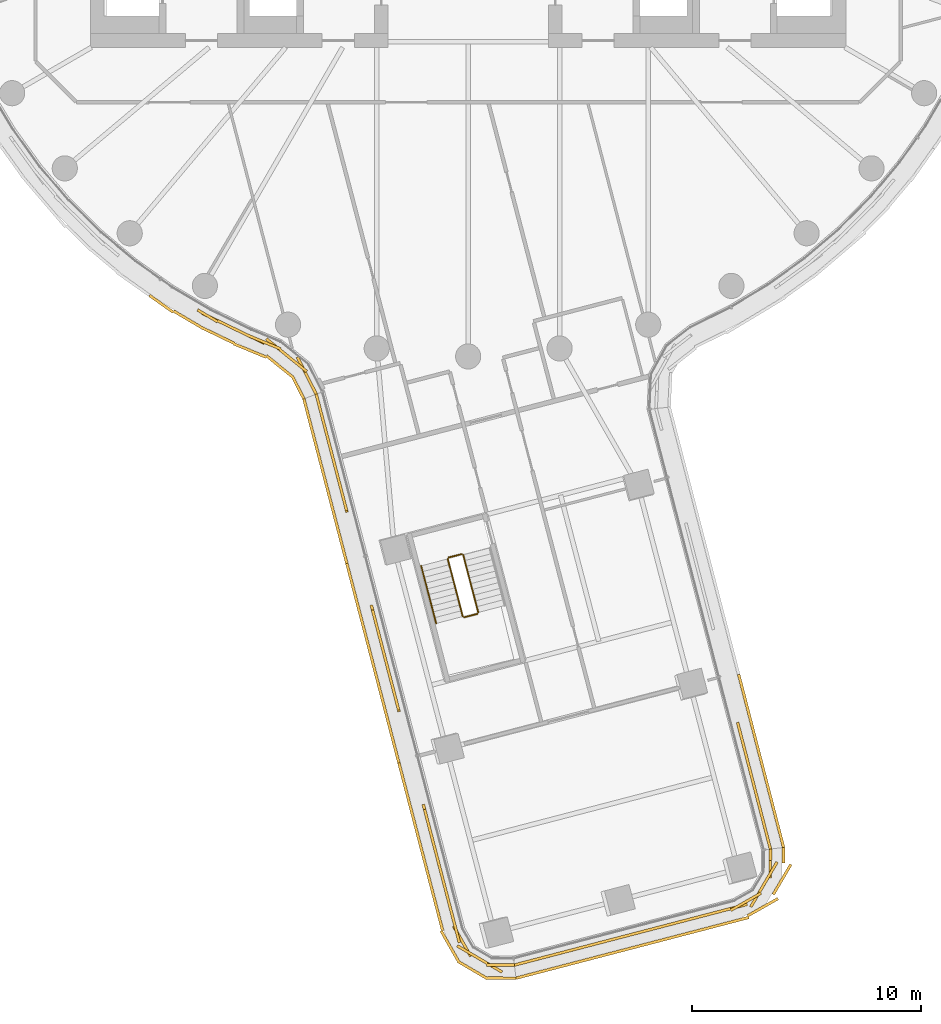
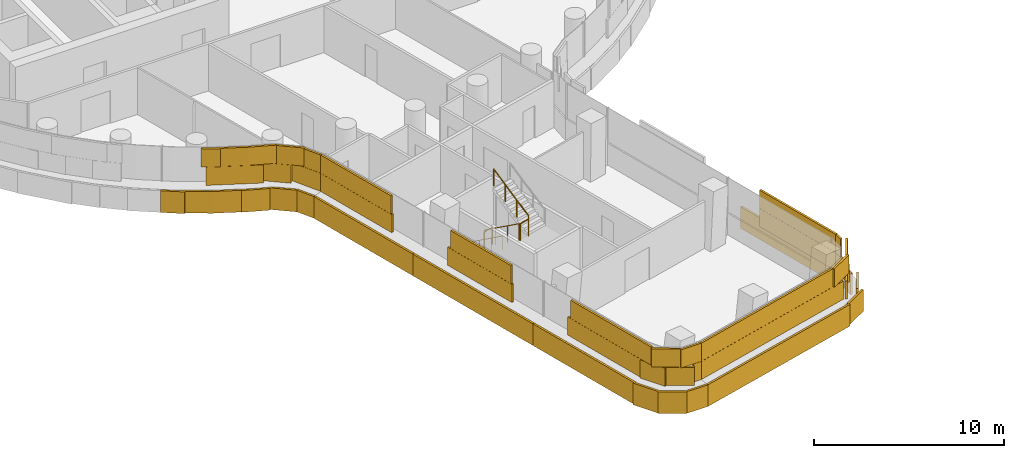
# One storey, part 24 of 30: 6 coverings, 5 railings.
"""IFC4 building model written with IfcOpenShell, lengths in metres."""

from ifc_helpers import new_model, si_unit, direction, frame, origin, origin_2d, place, context, subcontext, project, spatial, rectangle, circle, extrude, material, layer, layer_set, type_object, element, save


model = new_model("IFC4")

# Units and contexts
model_context = context("Model", 3, precision=1e-05, world=origin(), true_north=direction((0.0, 1.0)))
body_context = subcontext(model_context, "Body", "Model", "MODEL_VIEW")
ifc_project = project(units=[si_unit("LENGTHUNIT", "METRE"), si_unit("AREAUNIT", "SQUARE_METRE"), si_unit("VOLUMEUNIT", "CUBIC_METRE"), si_unit("PLANEANGLEUNIT", "RADIAN"), si_unit("MASSUNIT", "GRAM", prefix="KILO")], contexts=[model_context])

# Site, building, storey
site_placement = place(None, origin())
site = spatial("IfcSite", under=ifc_project, at=site_placement, CompositionType="ELEMENT")
building_placement = place(site_placement, origin())
building = spatial("IfcBuilding", under=site, at=building_placement, Name="Tamarind Cross Interchange Tower", CompositionType="ELEMENT")
storey_placement = place(building_placement, frame((0.0, 0.0, 87.25)))
storey = spatial("IfcBuildingStorey", under=building, at=storey_placement, Name="L20", CompositionType="ELEMENT", Elevation=87.25)

# Railings
ifc_material_1 = material(Name="Stair guard")
railing_type_1 = type_object("IfcRailingType", Name="Stair guard", PredefinedType="GUARDRAIL", material=ifc_material_1)
railing_1_placement = place(storey_placement, frame((-0.892822265625, -31.844482421875, 0.17041015625)))
element("IfcRailing", 1, at=railing_1_placement, inside=storey, type_object=railing_type_1, Name="L20 ST6 stair guard 1", PredefinedType="GUARDRAIL", context=body_context, shape_type="SweptSolid", body=[
    extrude(circle(Radius=0.02392578125, at=origin_2d()), frame((0.0, 0.0, 1.076171875), z_axis=(0.211155681885, -0.80920762433, 0.54826663106), x_axis=(0.967600319043, 0.252486876071, 0.0)), (0.0, 0.0, 1.0), 3.109130859375),
    extrude(circle(Radius=0.02099609375, at=origin_2d()), origin(), (0.0, 0.0, 1.0), 1.052001953125),
    extrude(circle(Radius=0.02099609375, at=origin_2d()), frame((0.21875, -0.838623046875, 0.568115234375)), (0.0, 0.0, 1.0), 1.052001953125),
    extrude(circle(Radius=0.02099609375, at=origin_2d()), frame((0.437744140625, -1.67724609375, 1.136474609375)), (0.0, 0.0, 1.0), 1.052001953125),
    extrude(circle(Radius=0.02099609375, at=origin_2d()), frame((0.656494140625, -2.515869140625, 1.70458984375)), (0.0, 0.0, 1.0), 1.052001953125),
])
railing_2_placement = place(storey_placement, frame((-0.17529296875, -34.39599609375, 1.875)))
element("IfcRailing", 2, at=railing_2_placement, inside=storey, type_object=railing_type_1, Name="L20 ST6 stair guard 2", PredefinedType="GUARDRAIL", context=body_context, shape_type="SweptSolid", body=[
    extrude(circle(Radius=0.02392578125, at=origin_2d()), frame((0.0, 0.0, 1.076171875), z_axis=(0.967651833377, 0.252289376238, 0.0), x_axis=(-0.252289376238, 0.967651833377, 0.0)), (0.0, 0.0, 1.0), 0.599853515625),
    extrude(circle(Radius=0.02099609375, at=origin_2d()), origin(), (0.0, 0.0, 1.0), 1.052001953125),
    extrude(circle(Radius=0.02099609375, at=origin_2d()), frame((0.58056640625, 0.1513671875, 0.0)), (0.0, 0.0, 1.0), 1.052001953125),
])
railing_3_placement = place(storey_placement, frame((0.44091796875, -34.18359375, 2.04541015625)))
element("IfcRailing", 3, at=railing_3_placement, inside=storey, type_object=railing_type_1, Name="L20 ST6 stair guard 3", PredefinedType="GUARDRAIL", context=body_context, shape_type="SweptSolid", body=[
    extrude(circle(Radius=0.02392578125, at=origin_2d()), frame((0.0, 0.0, 1.076171875), z_axis=(-0.211155681885, 0.80920762433, 0.54826663106), x_axis=(-0.967600319043, -0.252486876071, 0.0)), (0.0, 0.0, 1.0), 3.109130859375),
    extrude(circle(Radius=0.02099609375, at=origin_2d()), origin(), (0.0, 0.0, 1.0), 1.052001953125),
    extrude(circle(Radius=0.02099609375, at=origin_2d()), frame((-0.21875, 0.838623046875, 0.568115234375)), (0.0, 0.0, 1.0), 1.052001953125),
    extrude(circle(Radius=0.02099609375, at=origin_2d()), frame((-0.437744140625, 1.67724609375, 1.136474609375)), (0.0, 0.0, 1.0), 1.052001953125),
    extrude(circle(Radius=0.02099609375, at=origin_2d()), frame((-0.656494140625, 2.515869140625, 1.70458984375)), (0.0, 0.0, 1.0), 1.052001953125),
])
railing_4_placement = place(storey_placement, frame((-0.857177734375, -31.783447265625, 0.0)))
element("IfcRailing", 4, at=railing_4_placement, inside=storey, type_object=railing_type_1, Name="L20 ST6 stair guard 4", PredefinedType="GUARDRAIL", context=body_context, shape_type="SweptSolid", body=[
    extrude(circle(Radius=0.02392578125, at=origin_2d()), frame((0.0, 0.0, 1.076171875), z_axis=(0.967651833377, 0.252289376238, 0.0), x_axis=(-0.252289376238, 0.967651833377, 0.0)), (0.0, 0.0, 1.0), 0.599853515625),
    extrude(circle(Radius=0.02099609375, at=origin_2d()), origin(), (0.0, 0.0, 1.0), 1.052001953125),
    extrude(circle(Radius=0.02099609375, at=origin_2d()), frame((0.58056640625, 0.1513671875, 0.0)), (0.0, 0.0, 1.0), 1.052001953125),
])
ifc_material_2 = material(Name="Stair handrail")
railing_type_2 = type_object("IfcRailingType", Name="Stair handrail", PredefinedType="HANDRAIL", material=ifc_material_2)
railing_5_placement = place(storey_placement, frame((-2.053955078125, -32.147705078125, 0.17041015625)))
element("IfcRailing", 5, at=railing_5_placement, inside=storey, type_object=railing_type_2, Name="L20 ST6 stair handrail 1", PredefinedType="HANDRAIL", context=body_context, shape_type="SweptSolid", body=[
    extrude(circle(Radius=0.02392578125, at=origin_2d()), frame((0.0, 0.0, 0.8759765625), z_axis=(0.211169100109, -0.809180515998, 0.548301471535), x_axis=(0.96759433238, 0.252509817524, 0.0)), (0.0, 0.0, 1.0), 3.10888671875),
    extrude(circle(Radius=0.02099609375, at=origin_2d()), origin(), (0.0, 0.0, 1.0), 0.851806640625),
    extrude(circle(Radius=0.02099609375, at=origin_2d()), frame((0.21875, -0.838623046875, 0.568115234375)), (0.0, 0.0, 1.0), 0.851806640625),
    extrude(circle(Radius=0.02099609375, at=origin_2d()), frame((0.437744140625, -1.677001953125, 1.136474609375)), (0.0, 0.0, 1.0), 0.851806640625),
    extrude(circle(Radius=0.02099609375, at=origin_2d()), frame((0.656494140625, -2.515625, 1.70458984375)), (0.0, 0.0, 1.0), 0.851806640625),
])

# Coverings
ifc_material_3 = material(Name="Terracotta", Category="masonry")
ifc_layer = layer(ifc_material_3, 0.1201171875)
ifc_layer_set = layer_set([ifc_layer], Name="Terracotta")
covering_type = type_object("IfcCoveringType", Name="Terracotta baguette screen unit", PredefinedType="MOLDING", material=ifc_layer_set)
covering_1_placement = place(storey_placement, origin())
element("IfcCovering", 6, at=covering_1_placement, inside=storey, type_object=covering_type, Name="SCR-L20-06-01", PredefinedType="MOLDING", context=body_context, shape_type="SweptSolid", body=[
    extrude(rectangle(XDim=1.52001953125, YDim=0.1201171875, at=origin_2d()), frame((-10.933349609375, -21.444580078125, 1.404052734375), z_axis=(0.0, 0.0, 1.0), x_axis=(0.900272776334, -0.435326231914, 0.0)), (0.0, 0.0, 1.0), 1.1669921875),
    extrude(rectangle(XDim=1.52001953125, YDim=0.1201171875, at=origin_2d()), frame((-9.5830078125, -22.097412109375, 1.404052734375), z_axis=(0.0, 0.0, 1.0), x_axis=(0.900272776334, -0.435326231914, 0.0)), (0.0, 0.0, 1.0), 1.1669921875),
    extrude(rectangle(XDim=1.52001953125, YDim=0.1201171875, at=origin_2d()), frame((-8.22021484375, -22.710205078125, 1.404052734375), z_axis=(0.0, 0.0, 1.0), x_axis=(0.777699114767, -0.628636689106, 0.0)), (0.0, 0.0, 1.0), 1.1669921875),
    extrude(rectangle(XDim=1.52001953125, YDim=0.1201171875, at=origin_2d()), frame((-7.115966796875, -23.703369140625, 1.404052734375), z_axis=(0.0, 0.0, 1.0), x_axis=(0.45253642049, -0.891745921286, 0.0)), (0.0, 0.0, 1.0), 1.1669921875),
    extrude(rectangle(XDim=0.31982421875, YDim=0.1201171875, at=origin_2d()), frame((-6.706298828125, -24.510498046875, 1.404052734375), z_axis=(0.0, 0.0, 1.0), x_axis=(0.45253642049, -0.891745921286, 0.0)), (0.0, 0.0, 1.0), 1.1669921875),
    extrude(rectangle(XDim=1.0126953125, YDim=0.1201171875, at=origin_2d()), frame((-11.38427734375, -21.225341796875, 2.5791015625), z_axis=(0.0, 0.0, 1.0), x_axis=(0.861248933065, -0.508183308752, 0.0)), (0.0, 0.0, 1.0), 1.1669921875),
    extrude(rectangle(XDim=1.52001953125, YDim=0.1201171875, at=origin_2d()), frame((-10.25830078125, -21.77099609375, 2.5791015625), z_axis=(0.0, 0.0, 1.0), x_axis=(0.900272776334, -0.435326231914, 0.0)), (0.0, 0.0, 1.0), 1.1669921875),
    extrude(rectangle(XDim=1.52001953125, YDim=0.1201171875, at=origin_2d()), frame((-8.89013671875, -22.384521484375, 2.5791015625), z_axis=(0.0, 0.0, 1.0), x_axis=(0.923969072286, -0.382467192657, 0.0)), (0.0, 0.0, 1.0), 1.1669921875),
    extrude(rectangle(XDim=1.52001953125, YDim=0.1201171875, at=origin_2d()), frame((-7.636962890625, -23.181640625, 2.5791015625), z_axis=(0.0, 0.0, 1.0), x_axis=(0.777699114767, -0.628636689106, 0.0)), (0.0, 0.0, 1.0), 1.1669921875),
    extrude(rectangle(XDim=1.06982421875, YDim=0.1201171875, at=origin_2d()), frame((-6.8759765625, -24.176025390625, 2.5791015625), z_axis=(0.0, 0.0, 1.0), x_axis=(0.45253642049, -0.891745921286, 0.0)), (0.0, 0.0, 1.0), 1.1669921875),
    extrude(rectangle(XDim=1.276611328125, YDim=0.1201171875, at=origin_2d()), frame((-13.399658203125, -20.702392578125, 0.00390625), z_axis=(0.0, 0.0, 1.0), x_axis=(0.816341886298, -0.577568978284, 0.0)), (0.0, 0.0, 1.0), 1.39208984375),
    extrude(rectangle(XDim=1.52001953125, YDim=0.1201171875, at=origin_2d()), frame((-12.212646484375, -21.40283203125, 0.00390625), z_axis=(0.0, 0.0, 1.0), x_axis=(0.861248933065, -0.508183308752, 0.0)), (0.0, 0.0, 1.0), 1.39208984375),
    extrude(rectangle(XDim=1.52001953125, YDim=0.1201171875, at=origin_2d()), frame((-10.887939453125, -22.10400390625, 0.00390625), z_axis=(0.0, 0.0, 1.0), x_axis=(0.900272776334, -0.435326231914, 0.0)), (0.0, 0.0, 1.0), 1.39208984375),
    extrude(rectangle(XDim=1.52001953125, YDim=0.1201171875, at=origin_2d()), frame((-9.5302734375, -22.74072265625, 0.00390625), z_axis=(0.0, 0.0, 1.0), x_axis=(0.923969072286, -0.382467192657, 0.0)), (0.0, 0.0, 1.0), 1.39208984375),
    extrude(rectangle(XDim=1.52001953125, YDim=0.1201171875, at=origin_2d()), frame((-8.22265625, -23.4462890625, 0.00390625), z_axis=(0.0, 0.0, 1.0), x_axis=(0.777699114767, -0.628636689106, 0.0)), (0.0, 0.0, 1.0), 1.39208984375),
    extrude(rectangle(XDim=1.052001953125, YDim=0.1201171875, at=origin_2d()), frame((-7.4140625, -24.38427734375, 0.00390625), z_axis=(0.0, 0.0, 1.0), x_axis=(0.45253642049, -0.891745921286, 0.0)), (0.0, 0.0, 1.0), 1.39208984375),
])
covering_2_placement = place(storey_placement, origin())
element("IfcCovering", 7, at=covering_2_placement, inside=storey, type_object=covering_type, Name="SCR-L20-07-00", PredefinedType="MOLDING", context=body_context, shape_type="SweptSolid", body=[
    extrude(rectangle(XDim=1.510009765625, YDim=0.1201171875, at=origin_2d()), frame((-6.44677734375, -25.374267578125, 1.404052734375), z_axis=(0.0, 0.0, 1.0), x_axis=(0.252528729967, -0.967589396666, 0.0)), (0.0, 0.0, 1.0), 1.1669921875),
    extrude(rectangle(XDim=1.52001953125, YDim=0.1201171875, at=origin_2d()), frame((-6.068115234375, -26.82568359375, 1.404052734375), z_axis=(0.0, 0.0, 1.0), x_axis=(0.252528729967, -0.967589396666, 0.0)), (0.0, 0.0, 1.0), 1.1669921875),
    extrude(rectangle(XDim=1.52001953125, YDim=0.1201171875, at=origin_2d()), frame((-5.689208984375, -28.277099609375, 1.404052734375), z_axis=(0.0, 0.0, 1.0), x_axis=(0.252528729967, -0.967589396666, 0.0)), (0.0, 0.0, 1.0), 1.1669921875),
    extrude(rectangle(XDim=0.833251953125, YDim=0.1201171875, at=origin_2d()), frame((-5.395751953125, -29.401123046875, 1.404052734375), z_axis=(0.0, 0.0, 1.0), x_axis=(0.252528729967, -0.967589396666, 0.0)), (0.0, 0.0, 1.0), 1.1669921875),
    extrude(rectangle(XDim=0.760009765625, YDim=0.1201171875, at=origin_2d()), frame((-6.54150390625, -25.011474609375, 2.5791015625), z_axis=(0.0, 0.0, 1.0), x_axis=(0.252528729967, -0.967589396666, 0.0)), (0.0, 0.0, 1.0), 1.1669921875),
    extrude(rectangle(XDim=1.52001953125, YDim=0.1201171875, at=origin_2d()), frame((-6.25732421875, -26.10009765625, 2.5791015625), z_axis=(0.0, 0.0, 1.0), x_axis=(0.252528729967, -0.967589396666, 0.0)), (0.0, 0.0, 1.0), 1.1669921875),
    extrude(rectangle(XDim=1.52001953125, YDim=0.1201171875, at=origin_2d()), frame((-5.878662109375, -27.551513671875, 2.5791015625), z_axis=(0.0, 0.0, 1.0), x_axis=(0.252528729967, -0.967589396666, 0.0)), (0.0, 0.0, 1.0), 1.1669921875),
    extrude(rectangle(XDim=1.52001953125, YDim=0.1201171875, at=origin_2d()), frame((-5.499755859375, -29.0029296875, 2.5791015625), z_axis=(0.0, 0.0, 1.0), x_axis=(0.252528729967, -0.967589396666, 0.0)), (0.0, 0.0, 1.0), 1.1669921875),
    extrude(rectangle(XDim=1.510009765625, YDim=0.1201171875, at=origin_2d()), frame((-6.9853515625, -25.583984375, 0.00390625), z_axis=(0.0, 0.0, 1.0), x_axis=(0.252528729967, -0.967589396666, 0.0)), (0.0, 0.0, 1.0), 1.39208984375),
    extrude(rectangle(XDim=1.52001953125, YDim=0.1201171875, at=origin_2d()), frame((-6.60791015625, -27.030517578125, 0.00390625), z_axis=(0.0, 0.0, 1.0), x_axis=(0.252528729967, -0.967589396666, 0.0)), (0.0, 0.0, 1.0), 1.39208984375),
    extrude(rectangle(XDim=1.52001953125, YDim=0.1201171875, at=origin_2d()), frame((-6.22900390625, -28.48193359375, 0.00390625), z_axis=(0.0, 0.0, 1.0), x_axis=(0.252528729967, -0.967589396666, 0.0)), (0.0, 0.0, 1.0), 1.39208984375),
    extrude(rectangle(XDim=1.52001953125, YDim=0.1201171875, at=origin_2d()), frame((-5.850341796875, -29.933349609375, 0.00390625), z_axis=(0.0, 0.0, 1.0), x_axis=(0.252528729967, -0.967589396666, 0.0)), (0.0, 0.0, 1.0), 1.39208984375),
    extrude(rectangle(XDim=1.4375, YDim=0.1201171875, at=origin_2d()), frame((-5.48193359375, -31.3447265625, 0.00390625), z_axis=(0.0, 0.0, 1.0), x_axis=(0.252528729967, -0.967589396666, 0.0)), (0.0, 0.0, 1.0), 1.39208984375),
])
covering_3_placement = place(storey_placement, origin())
element("IfcCovering", 8, at=covering_3_placement, inside=storey, type_object=covering_type, Name="SCR-L20-07-01", PredefinedType="MOLDING", context=body_context, shape_type="SweptSolid", body=[
    extrude(rectangle(XDim=0.986572265625, YDim=0.1201171875, at=origin_2d()), frame((-4.10791015625, -34.3359375, 1.404052734375), z_axis=(0.0, 0.0, 1.0), x_axis=(0.252528729967, -0.967589396666, 0.0)), (0.0, 0.0, 1.0), 1.1669921875),
    extrude(rectangle(XDim=1.52001953125, YDim=0.1201171875, at=origin_2d()), frame((-3.795166015625, -35.5341796875, 1.404052734375), z_axis=(0.0, 0.0, 1.0), x_axis=(0.252528729967, -0.967589396666, 0.0)), (0.0, 0.0, 1.0), 1.1669921875),
    extrude(rectangle(XDim=1.52001953125, YDim=0.1201171875, at=origin_2d()), frame((-3.41650390625, -36.9853515625, 1.404052734375), z_axis=(0.0, 0.0, 1.0), x_axis=(0.252528729967, -0.967589396666, 0.0)), (0.0, 0.0, 1.0), 1.1669921875),
    extrude(rectangle(XDim=0.834228515625, YDim=0.1201171875, at=origin_2d()), frame((-3.123046875, -38.10986328125, 1.404052734375), z_axis=(0.0, 0.0, 1.0), x_axis=(0.252528729967, -0.967589396666, 0.0)), (0.0, 0.0, 1.0), 1.1669921875),
    extrude(rectangle(XDim=1.52001953125, YDim=0.1201171875, at=origin_2d()), frame((-3.984619140625, -34.808349609375, 2.5791015625), z_axis=(0.0, 0.0, 1.0), x_axis=(0.252528729967, -0.967589396666, 0.0)), (0.0, 0.0, 1.0), 1.1669921875),
    extrude(rectangle(XDim=1.52001953125, YDim=0.1201171875, at=origin_2d()), frame((-3.60595703125, -36.259765625, 2.5791015625), z_axis=(0.0, 0.0, 1.0), x_axis=(0.252528729967, -0.967589396666, 0.0)), (0.0, 0.0, 1.0), 1.1669921875),
    extrude(rectangle(XDim=1.52001953125, YDim=0.1201171875, at=origin_2d()), frame((-3.22705078125, -37.711181640625, 2.5791015625), z_axis=(0.0, 0.0, 1.0), x_axis=(0.252528729967, -0.967589396666, 0.0)), (0.0, 0.0, 1.0), 1.1669921875),
    extrude(rectangle(XDim=0.08251953125, YDim=0.1201171875, at=origin_2d()), frame((-5.2900390625, -32.080078125, 0.00390625), z_axis=(0.0, 0.0, 1.0), x_axis=(0.252528729967, -0.967589396666, 0.0)), (0.0, 0.0, 1.0), 1.39208984375),
    extrude(rectangle(XDim=1.52001953125, YDim=0.1201171875, at=origin_2d()), frame((-5.0927734375, -32.8359375, 0.00390625), z_axis=(0.0, 0.0, 1.0), x_axis=(0.252528729967, -0.967589396666, 0.0)), (0.0, 0.0, 1.0), 1.39208984375),
    extrude(rectangle(XDim=1.52001953125, YDim=0.1201171875, at=origin_2d()), frame((-4.7138671875, -34.287353515625, 0.00390625), z_axis=(0.0, 0.0, 1.0), x_axis=(0.252528729967, -0.967589396666, 0.0)), (0.0, 0.0, 1.0), 1.39208984375),
    extrude(rectangle(XDim=1.52001953125, YDim=0.1201171875, at=origin_2d()), frame((-4.3349609375, -35.73876953125, 0.00390625), z_axis=(0.0, 0.0, 1.0), x_axis=(0.252528729967, -0.967589396666, 0.0)), (0.0, 0.0, 1.0), 1.39208984375),
    extrude(rectangle(XDim=1.52001953125, YDim=0.1201171875, at=origin_2d()), frame((-3.956298828125, -37.190185546875, 0.00390625), z_axis=(0.0, 0.0, 1.0), x_axis=(0.252528729967, -0.967589396666, 0.0)), (0.0, 0.0, 1.0), 1.39208984375),
    extrude(rectangle(XDim=1.52001953125, YDim=0.1201171875, at=origin_2d()), frame((-3.577392578125, -38.6416015625, 0.00390625), z_axis=(0.0, 0.0, 1.0), x_axis=(0.252528729967, -0.967589396666, 0.0)), (0.0, 0.0, 1.0), 1.39208984375),
    extrude(rectangle(XDim=1.443603515625, YDim=0.1201171875, at=origin_2d()), frame((-3.208251953125, -40.055908203125, 0.00390625), z_axis=(0.0, 0.0, 1.0), x_axis=(0.252528729967, -0.967589396666, 0.0)), (0.0, 0.0, 1.0), 1.39208984375),
])
covering_4_placement = place(storey_placement, origin())
element("IfcCovering", 9, at=covering_4_placement, inside=storey, type_object=covering_type, Name="SCR-L20-07-02", PredefinedType="MOLDING", context=body_context, shape_type="SweptSolid", body=[
    extrude(rectangle(XDim=0.98583984375, YDim=0.1201171875, at=origin_2d()), frame((-1.835205078125, -43.044677734375, 1.404052734375), z_axis=(0.0, 0.0, 1.0), x_axis=(0.252528729967, -0.967589396666, 0.0)), (0.0, 0.0, 1.0), 1.1669921875),
    extrude(rectangle(XDim=1.52001953125, YDim=0.1201171875, at=origin_2d()), frame((-1.5224609375, -44.242431640625, 1.404052734375), z_axis=(0.0, 0.0, 1.0), x_axis=(0.252528729967, -0.967589396666, 0.0)), (0.0, 0.0, 1.0), 1.1669921875),
    extrude(rectangle(XDim=1.52001953125, YDim=0.1201171875, at=origin_2d()), frame((-1.143798828125, -45.69384765625, 1.404052734375), z_axis=(0.0, 0.0, 1.0), x_axis=(0.252528729967, -0.967589396666, 0.0)), (0.0, 0.0, 1.0), 1.1669921875),
    extrude(rectangle(XDim=1.52001953125, YDim=0.1201171875, at=origin_2d()), frame((-0.764892578125, -47.145263671875, 1.404052734375), z_axis=(0.0, 0.0, 1.0), x_axis=(0.252528729967, -0.967589396666, 0.0)), (0.0, 0.0, 1.0), 1.1669921875),
    extrude(rectangle(XDim=1.52001953125, YDim=0.1201171875, at=origin_2d()), frame((-0.26171875, -48.5458984375, 1.404052734375), z_axis=(0.0, 0.0, 1.0), x_axis=(0.494354585852, -0.869260342733, 0.0)), (0.0, 0.0, 1.0), 1.1669921875),
    extrude(rectangle(XDim=1.52001953125, YDim=0.1201171875, at=origin_2d()), frame((0.8271484375, -49.5068359375, 1.404052734375), z_axis=(0.0, 0.0, 1.0), x_axis=(0.862753801191, -0.505624246383, 0.0)), (0.0, 0.0, 1.0), 1.1669921875),
    extrude(rectangle(XDim=0.4716796875, YDim=0.1201171875, at=origin_2d()), frame((1.788818359375, -49.58349609375, 1.404052734375), z_axis=(0.0, 0.0, 1.0), x_axis=(0.999978832235, -0.006506541541, 0.0)), (0.0, 0.0, 1.0), 1.1669921875),
    extrude(rectangle(XDim=1.52001953125, YDim=0.1201171875, at=origin_2d()), frame((-1.7119140625, -43.5166015625, 2.5791015625), z_axis=(0.0, 0.0, 1.0), x_axis=(0.252528729967, -0.967589396666, 0.0)), (0.0, 0.0, 1.0), 1.1669921875),
    extrude(rectangle(XDim=1.52001953125, YDim=0.1201171875, at=origin_2d()), frame((-1.3330078125, -44.968017578125, 2.5791015625), z_axis=(0.0, 0.0, 1.0), x_axis=(0.252528729967, -0.967589396666, 0.0)), (0.0, 0.0, 1.0), 1.1669921875),
    extrude(rectangle(XDim=1.52001953125, YDim=0.1201171875, at=origin_2d()), frame((-0.954345703125, -46.41943359375, 2.5791015625), z_axis=(0.0, 0.0, 1.0), x_axis=(0.252528729967, -0.967589396666, 0.0)), (0.0, 0.0, 1.0), 1.1669921875),
    extrude(rectangle(XDim=1.52001953125, YDim=0.1201171875, at=origin_2d()), frame((-0.575439453125, -47.870849609375, 2.5791015625), z_axis=(0.0, 0.0, 1.0), x_axis=(0.252528729967, -0.967589396666, 0.0)), (0.0, 0.0, 1.0), 1.1669921875),
    extrude(rectangle(XDim=1.52001953125, YDim=0.1201171875, at=origin_2d()), frame((0.18017578125, -49.127685546875, 2.5791015625), z_axis=(0.0, 0.0, 1.0), x_axis=(0.862753801191, -0.505624246383, 0.0)), (0.0, 0.0, 1.0), 1.1669921875),
    extrude(rectangle(XDim=1.2216796875, YDim=0.1201171875, at=origin_2d()), frame((1.413818359375, -49.5810546875, 2.5791015625), z_axis=(0.0, 0.0, 1.0), x_axis=(0.999978832235, -0.006506541541, 0.0)), (0.0, 0.0, 1.0), 1.1669921875),
    extrude(rectangle(XDim=0.076416015625, YDim=0.1201171875, at=origin_2d()), frame((-3.016357421875, -40.791259765625, 0.00390625), z_axis=(0.0, 0.0, 1.0), x_axis=(0.252528729967, -0.967589396666, 0.0)), (0.0, 0.0, 1.0), 1.39208984375),
    extrude(rectangle(XDim=1.52001953125, YDim=0.1201171875, at=origin_2d()), frame((-2.81982421875, -41.544189453125, 0.00390625), z_axis=(0.0, 0.0, 1.0), x_axis=(0.252528729967, -0.967589396666, 0.0)), (0.0, 0.0, 1.0), 1.39208984375),
    extrude(rectangle(XDim=1.52001953125, YDim=0.1201171875, at=origin_2d()), frame((-2.441162109375, -42.99560546875, 0.00390625), z_axis=(0.0, 0.0, 1.0), x_axis=(0.252528729967, -0.967589396666, 0.0)), (0.0, 0.0, 1.0), 1.39208984375),
    extrude(rectangle(XDim=1.52001953125, YDim=0.1201171875, at=origin_2d()), frame((-2.062255859375, -44.447021484375, 0.00390625), z_axis=(0.0, 0.0, 1.0), x_axis=(0.252528729967, -0.967589396666, 0.0)), (0.0, 0.0, 1.0), 1.39208984375),
    extrude(rectangle(XDim=1.52001953125, YDim=0.1201171875, at=origin_2d()), frame((-1.68359375, -45.8984375, 0.00390625), z_axis=(0.0, 0.0, 1.0), x_axis=(0.252528729967, -0.967589396666, 0.0)), (0.0, 0.0, 1.0), 1.39208984375),
    extrude(rectangle(XDim=1.52001953125, YDim=0.1201171875, at=origin_2d()), frame((-1.3046875, -47.349853515625, 0.00390625), z_axis=(0.0, 0.0, 1.0), x_axis=(0.252528729967, -0.967589396666, 0.0)), (0.0, 0.0, 1.0), 1.39208984375),
    extrude(rectangle(XDim=1.52001953125, YDim=0.1201171875, at=origin_2d()), frame((-0.804931640625, -48.751953125, 0.00390625), z_axis=(0.0, 0.0, 1.0), x_axis=(0.494354585852, -0.869260342733, 0.0)), (0.0, 0.0, 1.0), 1.39208984375),
    extrude(rectangle(XDim=1.52001953125, YDim=0.1201171875, at=origin_2d()), frame((0.1943359375, -49.801513671875, 0.00390625), z_axis=(0.0, 0.0, 1.0), x_axis=(0.862753801191, -0.505624246383, 0.0)), (0.0, 0.0, 1.0), 1.39208984375),
    extrude(rectangle(XDim=1.251953125, YDim=0.1201171875, at=origin_2d()), frame((1.465576171875, -50.1552734375, 0.00390625), z_axis=(0.0, 0.0, 1.0), x_axis=(0.999978832235, -0.006506541541, 0.0)), (0.0, 0.0, 1.0), 1.39208984375),
])
covering_5_placement = place(storey_placement, origin())
element("IfcCovering", 10, at=covering_5_placement, inside=storey, type_object=covering_type, Name="SCR-L20-08-00", PredefinedType="MOLDING", context=body_context, shape_type="SweptSolid", body=[
    extrude(rectangle(XDim=1.510009765625, YDim=0.1201171875, at=origin_2d()), frame((2.745361328125, -49.3955078125, 1.404052734375), z_axis=(0.0, 0.0, 1.0), x_axis=(0.967589396666, 0.252528729967, 0.0)), (0.0, 0.0, 1.0), 1.1669921875),
    extrude(rectangle(XDim=1.52001953125, YDim=0.1201171875, at=origin_2d()), frame((4.19677734375, -49.016845703125, 1.404052734375), z_axis=(0.0, 0.0, 1.0), x_axis=(0.967589396666, 0.252528729967, 0.0)), (0.0, 0.0, 1.0), 1.1669921875),
    extrude(rectangle(XDim=1.52001953125, YDim=0.1201171875, at=origin_2d()), frame((5.64794921875, -48.637939453125, 1.404052734375), z_axis=(0.0, 0.0, 1.0), x_axis=(0.967589396666, 0.252528729967, 0.0)), (0.0, 0.0, 1.0), 1.1669921875),
    extrude(rectangle(XDim=1.52001953125, YDim=0.1201171875, at=origin_2d()), frame((7.099365234375, -48.25927734375, 1.404052734375), z_axis=(0.0, 0.0, 1.0), x_axis=(0.967589396666, 0.252528729967, 0.0)), (0.0, 0.0, 1.0), 1.1669921875),
    extrude(rectangle(XDim=1.52001953125, YDim=0.1201171875, at=origin_2d()), frame((8.55078125, -47.88037109375, 1.404052734375), z_axis=(0.0, 0.0, 1.0), x_axis=(0.967589396666, 0.252528729967, 0.0)), (0.0, 0.0, 1.0), 1.1669921875),
    extrude(rectangle(XDim=1.52001953125, YDim=0.1201171875, at=origin_2d()), frame((10.002197265625, -47.501708984375, 1.404052734375), z_axis=(0.0, 0.0, 1.0), x_axis=(0.967589396666, 0.252528729967, 0.0)), (0.0, 0.0, 1.0), 1.1669921875),
    extrude(rectangle(XDim=1.52001953125, YDim=0.1201171875, at=origin_2d()), frame((11.45361328125, -47.122802734375, 1.404052734375), z_axis=(0.0, 0.0, 1.0), x_axis=(0.967589396666, 0.252528729967, 0.0)), (0.0, 0.0, 1.0), 1.1669921875),
    extrude(rectangle(XDim=1.52001953125, YDim=0.1201171875, at=origin_2d()), frame((12.72802734375, -46.390380859375, 1.404052734375), z_axis=(0.0, 0.0, 1.0), x_axis=(0.505624246383, 0.862753801191, 0.0)), (0.0, 0.0, 1.0), 1.1669921875),
    extrude(rectangle(XDim=1.259521484375, YDim=0.1201171875, at=origin_2d()), frame((13.200439453125, -45.14306640625, 1.404052734375), z_axis=(0.0, 0.0, 1.0), x_axis=(0.006506541541, 0.999978832235, 0.0)), (0.0, 0.0, 1.0), 1.1669921875),
    extrude(rectangle(XDim=0.760009765625, YDim=0.1201171875, at=origin_2d()), frame((2.382568359375, -49.490234375, 2.5791015625), z_axis=(0.0, 0.0, 1.0), x_axis=(0.967589396666, 0.252528729967, 0.0)), (0.0, 0.0, 1.0), 1.1669921875),
    extrude(rectangle(XDim=1.52001953125, YDim=0.1201171875, at=origin_2d()), frame((3.470947265625, -49.2060546875, 2.5791015625), z_axis=(0.0, 0.0, 1.0), x_axis=(0.967589396666, 0.252528729967, 0.0)), (0.0, 0.0, 1.0), 1.1669921875),
    extrude(rectangle(XDim=1.52001953125, YDim=0.1201171875, at=origin_2d()), frame((4.92236328125, -48.827392578125, 2.5791015625), z_axis=(0.0, 0.0, 1.0), x_axis=(0.967589396666, 0.252528729967, 0.0)), (0.0, 0.0, 1.0), 1.1669921875),
    extrude(rectangle(XDim=1.52001953125, YDim=0.1201171875, at=origin_2d()), frame((6.373779296875, -48.448486328125, 2.5791015625), z_axis=(0.0, 0.0, 1.0), x_axis=(0.967589396666, 0.252528729967, 0.0)), (0.0, 0.0, 1.0), 1.1669921875),
    extrude(rectangle(XDim=1.52001953125, YDim=0.1201171875, at=origin_2d()), frame((7.8251953125, -48.06982421875, 2.5791015625), z_axis=(0.0, 0.0, 1.0), x_axis=(0.967589396666, 0.252528729967, 0.0)), (0.0, 0.0, 1.0), 1.1669921875),
    extrude(rectangle(XDim=1.52001953125, YDim=0.1201171875, at=origin_2d()), frame((9.276611328125, -47.69091796875, 2.5791015625), z_axis=(0.0, 0.0, 1.0), x_axis=(0.967589396666, 0.252528729967, 0.0)), (0.0, 0.0, 1.0), 1.1669921875),
    extrude(rectangle(XDim=1.52001953125, YDim=0.1201171875, at=origin_2d()), frame((10.72802734375, -47.312255859375, 2.5791015625), z_axis=(0.0, 0.0, 1.0), x_axis=(0.967589396666, 0.252528729967, 0.0)), (0.0, 0.0, 1.0), 1.1669921875),
    extrude(rectangle(XDim=1.52001953125, YDim=0.1201171875, at=origin_2d()), frame((12.132568359375, -46.818115234375, 2.5791015625), z_axis=(0.0, 0.0, 1.0), x_axis=(0.869260342733, 0.494354585852, 0.0)), (0.0, 0.0, 1.0), 1.1669921875),
    extrude(rectangle(XDim=1.52001953125, YDim=0.1201171875, at=origin_2d()), frame((13.107177734375, -45.7431640625, 2.5791015625), z_axis=(0.0, 0.0, 1.0), x_axis=(0.505624246383, 0.862753801191, 0.0)), (0.0, 0.0, 1.0), 1.1669921875),
    extrude(rectangle(XDim=0.509521484375, YDim=0.1201171875, at=origin_2d()), frame((13.202880859375, -44.76806640625, 2.5791015625), z_axis=(0.0, 0.0, 1.0), x_axis=(0.006506541541, 0.999978832235, 0.0)), (0.0, 0.0, 1.0), 1.1669921875),
    extrude(rectangle(XDim=1.510009765625, YDim=0.1201171875, at=origin_2d()), frame((2.822021484375, -49.96875, 0.00390625), z_axis=(0.0, 0.0, 1.0), x_axis=(0.967589396666, 0.252528729967, 0.0)), (0.0, 0.0, 1.0), 1.39208984375),
    extrude(rectangle(XDim=1.52001953125, YDim=0.1201171875, at=origin_2d()), frame((4.2685546875, -49.59130859375, 0.00390625), z_axis=(0.0, 0.0, 1.0), x_axis=(0.967589396666, 0.252528729967, 0.0)), (0.0, 0.0, 1.0), 1.39208984375),
    extrude(rectangle(XDim=1.52001953125, YDim=0.1201171875, at=origin_2d()), frame((5.719970703125, -49.21240234375, 0.00390625), z_axis=(0.0, 0.0, 1.0), x_axis=(0.967589396666, 0.252528729967, 0.0)), (0.0, 0.0, 1.0), 1.39208984375),
    extrude(rectangle(XDim=1.52001953125, YDim=0.1201171875, at=origin_2d()), frame((7.17138671875, -48.833740234375, 0.00390625), z_axis=(0.0, 0.0, 1.0), x_axis=(0.967589396666, 0.252528729967, 0.0)), (0.0, 0.0, 1.0), 1.39208984375),
    extrude(rectangle(XDim=1.52001953125, YDim=0.1201171875, at=origin_2d()), frame((8.62255859375, -48.454833984375, 0.00390625), z_axis=(0.0, 0.0, 1.0), x_axis=(0.967589396666, 0.252528729967, 0.0)), (0.0, 0.0, 1.0), 1.39208984375),
    extrude(rectangle(XDim=1.52001953125, YDim=0.1201171875, at=origin_2d()), frame((10.073974609375, -48.076171875, 0.00390625), z_axis=(0.0, 0.0, 1.0), x_axis=(0.967589396666, 0.252528729967, 0.0)), (0.0, 0.0, 1.0), 1.39208984375),
    extrude(rectangle(XDim=1.52001953125, YDim=0.1201171875, at=origin_2d()), frame((11.525390625, -47.697265625, 0.00390625), z_axis=(0.0, 0.0, 1.0), x_axis=(0.967589396666, 0.252528729967, 0.0)), (0.0, 0.0, 1.0), 1.39208984375),
    extrude(rectangle(XDim=1.52001953125, YDim=0.1201171875, at=origin_2d()), frame((12.87109375, -47.05859375, 0.00390625), z_axis=(0.0, 0.0, 1.0), x_axis=(0.869260342733, 0.494354585852, 0.0)), (0.0, 0.0, 1.0), 1.39208984375),
    extrude(rectangle(XDim=1.52001953125, YDim=0.1201171875, at=origin_2d()), frame((13.71142578125, -45.847412109375, 0.00390625), z_axis=(0.0, 0.0, 1.0), x_axis=(0.505624246383, 0.862753801191, 0.0)), (0.0, 0.0, 1.0), 1.39208984375),
    extrude(rectangle(XDim=0.6767578125, YDim=0.1201171875, at=origin_2d()), frame((13.776611328125, -44.78515625, 0.00390625), z_axis=(0.0, 0.0, 1.0), x_axis=(0.006506541541, 0.999978832235, 0.0)), (0.0, 0.0, 1.0), 1.39208984375),
])
covering_6_placement = place(storey_placement, origin())
element("IfcCovering", 11, at=covering_6_placement, inside=storey, type_object=covering_type, Name="SCR-L20-09-00", PredefinedType="MOLDING", context=body_context, shape_type="SweptSolid", body=[
    extrude(rectangle(XDim=1.510009765625, YDim=0.1201171875, at=origin_2d()), frame((13.015869140625, -43.792236328125, 1.404052734375), z_axis=(0.0, 0.0, 1.0), x_axis=(-0.251267008723, 0.967917811763, 0.0)), (0.0, 0.0, 1.0), 1.1669921875),
    extrude(rectangle(XDim=1.52001953125, YDim=0.1201171875, at=origin_2d()), frame((12.63916015625, -42.34033203125, 1.404052734375), z_axis=(0.0, 0.0, 1.0), x_axis=(-0.251267008723, 0.967917811763, 0.0)), (0.0, 0.0, 1.0), 1.1669921875),
    extrude(rectangle(XDim=1.52001953125, YDim=0.1201171875, at=origin_2d()), frame((12.26220703125, -40.888427734375, 1.404052734375), z_axis=(0.0, 0.0, 1.0), x_axis=(-0.251267008723, 0.967917811763, 0.0)), (0.0, 0.0, 1.0), 1.1669921875),
    extrude(rectangle(XDim=1.22021484375, YDim=0.1201171875, at=origin_2d()), frame((11.921630859375, -39.576904296875, 1.404052734375), z_axis=(0.0, 0.0, 1.0), x_axis=(-0.251267008723, 0.967917811763, 0.0)), (0.0, 0.0, 1.0), 1.1669921875),
    extrude(rectangle(XDim=0.760009765625, YDim=0.1201171875, at=origin_2d()), frame((13.110107421875, -44.1552734375, 2.5791015625), z_axis=(0.0, 0.0, 1.0), x_axis=(-0.251267008723, 0.967917811763, 0.0)), (0.0, 0.0, 1.0), 1.1669921875),
    extrude(rectangle(XDim=1.52001953125, YDim=0.1201171875, at=origin_2d()), frame((12.82763671875, -43.06640625, 2.5791015625), z_axis=(0.0, 0.0, 1.0), x_axis=(-0.251267008723, 0.967917811763, 0.0)), (0.0, 0.0, 1.0), 1.1669921875),
    extrude(rectangle(XDim=1.52001953125, YDim=0.1201171875, at=origin_2d()), frame((12.45068359375, -41.614501953125, 2.5791015625), z_axis=(0.0, 0.0, 1.0), x_axis=(-0.251267008723, 0.967917811763, 0.0)), (0.0, 0.0, 1.0), 1.1669921875),
    extrude(rectangle(XDim=1.52001953125, YDim=0.1201171875, at=origin_2d()), frame((12.07373046875, -40.16259765625, 2.5791015625), z_axis=(0.0, 0.0, 1.0), x_axis=(-0.251267008723, 0.967917811763, 0.0)), (0.0, 0.0, 1.0), 1.1669921875),
    extrude(rectangle(XDim=0.47021484375, YDim=0.1201171875, at=origin_2d()), frame((11.827392578125, -39.2138671875, 2.5791015625), z_axis=(0.0, 0.0, 1.0), x_axis=(-0.251267008723, 0.967917811763, 0.0)), (0.0, 0.0, 1.0), 1.1669921875),
    extrude(rectangle(XDim=1.510009765625, YDim=0.1201171875, at=origin_2d()), frame((13.589111328125, -43.7158203125, 0.00390625), z_axis=(0.0, 0.0, 1.0), x_axis=(-0.251267008723, 0.967917811763, 0.0)), (0.0, 0.0, 1.0), 1.39208984375),
    extrude(rectangle(XDim=1.52001953125, YDim=0.1201171875, at=origin_2d()), frame((13.213623046875, -42.268798828125, 0.00390625), z_axis=(0.0, 0.0, 1.0), x_axis=(-0.251267008723, 0.967917811763, 0.0)), (0.0, 0.0, 1.0), 1.39208984375),
    extrude(rectangle(XDim=1.52001953125, YDim=0.1201171875, at=origin_2d()), frame((12.836669921875, -40.817138671875, 0.00390625), z_axis=(0.0, 0.0, 1.0), x_axis=(-0.251267008723, 0.967917811763, 0.0)), (0.0, 0.0, 1.0), 1.39208984375),
    extrude(rectangle(XDim=1.52001953125, YDim=0.1201171875, at=origin_2d()), frame((12.459716796875, -39.365234375, 0.00390625), z_axis=(0.0, 0.0, 1.0), x_axis=(-0.251267008723, 0.967917811763, 0.0)), (0.0, 0.0, 1.0), 1.39208984375),
    extrude(rectangle(XDim=1.52001953125, YDim=0.1201171875, at=origin_2d()), frame((12.082763671875, -37.913330078125, 0.00390625), z_axis=(0.0, 0.0, 1.0), x_axis=(-0.251267008723, 0.967917811763, 0.0)), (0.0, 0.0, 1.0), 1.39208984375),
    extrude(rectangle(XDim=0.316162109375, YDim=0.1201171875, at=origin_2d()), frame((11.857177734375, -37.0439453125, 0.00390625), z_axis=(0.0, 0.0, 1.0), x_axis=(-0.251267008723, 0.967917811763, 0.0)), (0.0, 0.0, 1.0), 1.39208984375),
])

save(model, "model.ifc")
